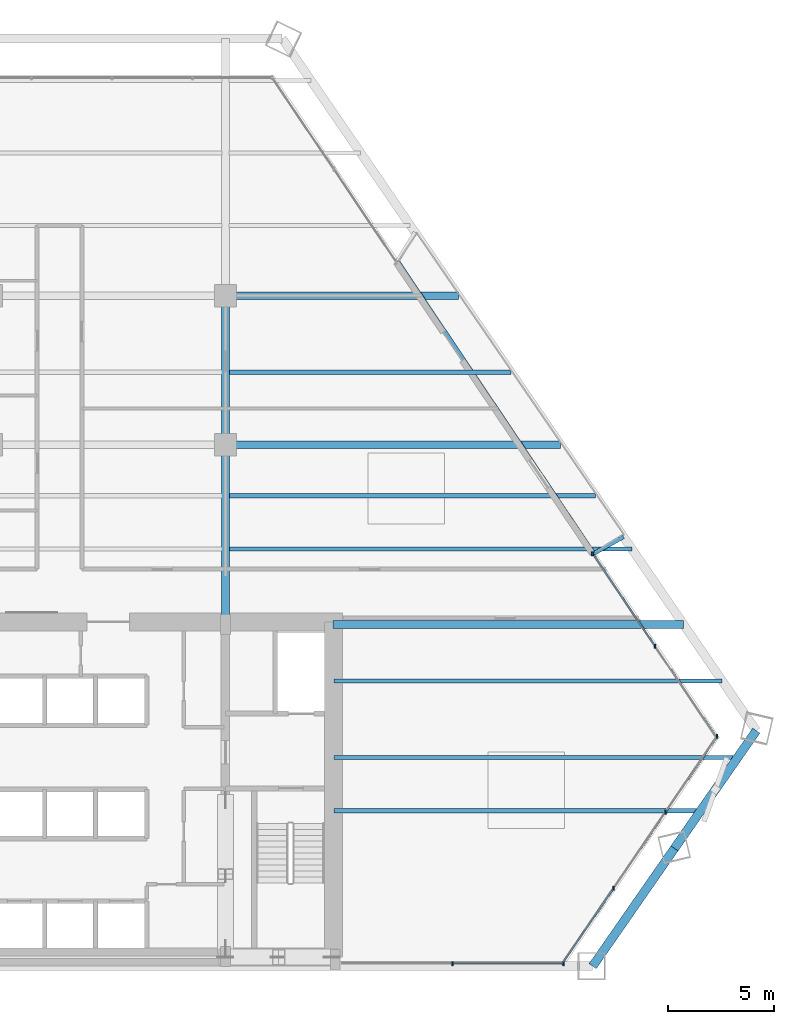
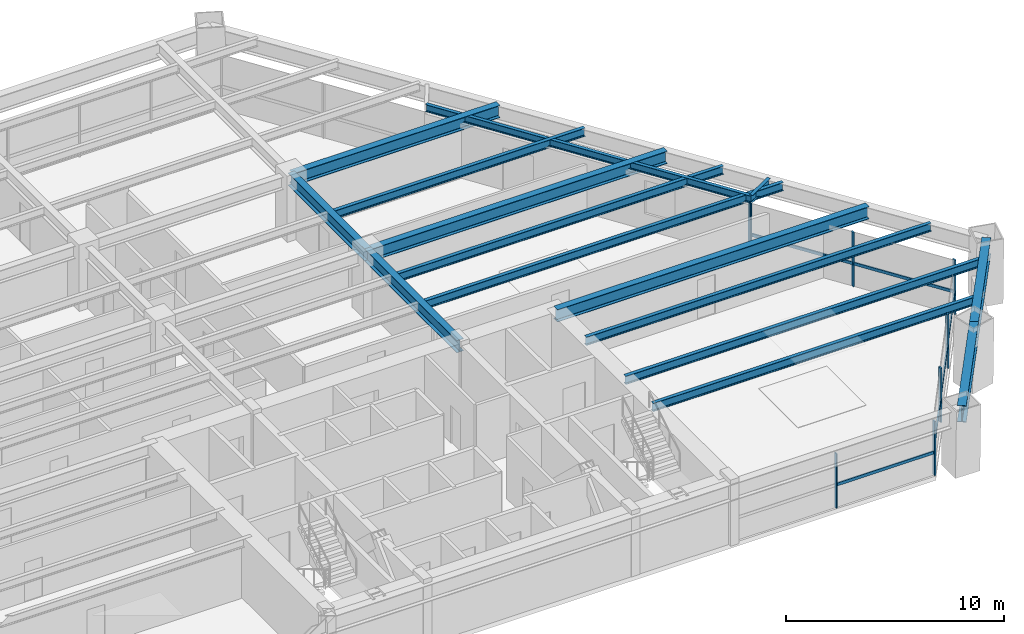
# One storey, part 6 of 14: 15 beams, 14 members, 3 elements without a shape of their own.
"""IFC4 building model written with IfcOpenShell, lengths in metres."""

import ifcopenshell
import ifcopenshell.guid

model = None  # the IFC model being written
_history = None  # IfcOwnerHistory: only IFC2X3 demands one
_inside = {}  # id of a spatial element -> (the spatial element, [elements in it])
_under = {}  # id of a project, library or spatial element -> (it, [spatial elements below it])
_declared = {}  # id of a project -> (the project, [libraries it declares])
_typed = {}  # id of a type object -> (the type object, [elements of that type])
_made_of = {}  # id of a material, layer set ... -> (it, [elements and type objects made of it])


def new_model(schema):
    """Start an empty IFC model of exactly this schema.

    Asked for "IFC4X3", IfcOpenShell would pick the latest addendum, in which some entities
    have other attributes; the version numbers below select the first issue.
    IFC2X3 requires an IfcOwnerHistory on every rooted entity: one is made here for all.
    """
    global model, _history
    if schema == "IFC4X3":
        model = ifcopenshell.file(schema_version=(4, 3, 0, 0))
    else:
        model = ifcopenshell.file(schema=schema)
    _inside.clear()
    _under.clear()
    _declared.clear()
    _typed.clear()
    _made_of.clear()
    _history = None
    if model.schema == "IFC2X3":
        org = make("IfcOrganization", Name="unknown")
        user = make(
            "IfcPersonAndOrganization",
            ThePerson=make("IfcPerson", FamilyName="unknown"),
            TheOrganization=org,
        )
        app = make(
            "IfcApplication",
            ApplicationDeveloper=org,
            Version="unknown",
            ApplicationFullName="unknown",
            ApplicationIdentifier="unknown",
        )
        _history = make(
            "IfcOwnerHistory",
            OwningUser=user,
            OwningApplication=app,
            ChangeAction="ADDED",
            CreationDate=0,
        )
    return model


def make(cls, **values):
    """One entity of the class cls with the attributes given. An attribute that is None is left unset."""
    return model.create_entity(
        cls, **{name: value for name, value in values.items() if value is not None}
    )


def rooted(cls, **values):
    """An entity with a GlobalId (a new one), such as an element, a storey or a relation."""
    return make(cls, GlobalId=ifcopenshell.guid.new(), OwnerHistory=_history, **values)


def si_unit(unit_type, name, prefix=None):
    """IfcSIUnit, for example si_unit("LENGTHUNIT", "METRE", prefix="MILLI")."""
    return make("IfcSIUnit", UnitType=unit_type, Prefix=prefix, Name=name)


def assignment(units):
    """IfcUnitAssignment: the units of a project."""
    return None if units is None else make("IfcUnitAssignment", Units=units)


def point(xyz):
    """IfcCartesianPoint."""
    return None if xyz is None else make("IfcCartesianPoint", Coordinates=xyz)


def direction(xyz):
    """IfcDirection."""
    return None if xyz is None else make("IfcDirection", DirectionRatios=xyz)


def frame(location, z_axis=None, x_axis=None):
    """IfcAxis2Placement3D, a coordinate frame: its origin and axes. An axis left out is left unset."""
    return make(
        "IfcAxis2Placement3D",
        Location=point(location),
        Axis=direction(z_axis),
        RefDirection=direction(x_axis),
    )


def frame_2d(location, x_axis=None):
    """IfcAxis2Placement2D, a coordinate frame in the plane: its origin and x axis."""
    return make(
        "IfcAxis2Placement2D", Location=point(location), RefDirection=direction(x_axis)
    )


def origin():
    """The frame at (0, 0, 0) with its axes left unset."""
    return frame((0.0, 0.0, 0.0))


def origin_2d():
    """The frame at (0, 0) in the plane with its x axis left unset."""
    return frame_2d((0.0, 0.0))


def place(relative_to, where):
    """IfcLocalPlacement: puts the frame where relative to a parent placement (None: the world)."""
    return make(
        "IfcLocalPlacement", PlacementRelTo=relative_to, RelativePlacement=where
    )


def context(
    kind, dimensions, precision=None, world=None, true_north=None, identifier=None
):
    """IfcGeometricRepresentationContext, for example the 3D "Model" context."""
    return make(
        "IfcGeometricRepresentationContext",
        ContextIdentifier=identifier,
        ContextType=kind,
        CoordinateSpaceDimension=dimensions,
        Precision=precision,
        WorldCoordinateSystem=world,
        TrueNorth=true_north,
    )


def subcontext(parent, identifier, kind, view, scale=None):
    """IfcGeometricRepresentationSubContext, for example "Body" below "Model"."""
    return make(
        "IfcGeometricRepresentationSubContext",
        ContextIdentifier=identifier,
        ContextType=kind,
        ParentContext=parent,
        TargetScale=scale,
        TargetView=view,
    )


def project(units=None, contexts=None):
    """IfcProject with its units and contexts."""
    return rooted(
        "IfcProject",
        Name="project",
        RepresentationContexts=contexts,
        UnitsInContext=assignment(units),
    )


def spatial(cls, under=None, at=None, **own):
    """A site, building, storey or space (cls), placed at a placement, below another one or the project."""
    s = rooted(cls, ObjectPlacement=at, **own)
    if under is not None:
        _under.setdefault(under.id(), (under, []))[1].append(s)
    return s


def profile(cls, at=None, kind="AREA", **sizes):
    """A parametric profile (cls). Its sizes go by their IFC names, for example OverallWidth=200.0."""
    return make(cls, ProfileType=kind, Position=at, **sizes)


def rectangle(**sizes):
    """IfcRectangleProfileDef."""
    return profile("IfcRectangleProfileDef", **sizes)


def i_section(**sizes):
    """IfcIShapeProfileDef."""
    return profile("IfcIShapeProfileDef", **sizes)


def extrude(swept, where, along, depth):
    """IfcExtrudedAreaSolid: the profile swept, set in the frame where, extruded along a direction by depth."""
    return make(
        "IfcExtrudedAreaSolid",
        SweptArea=swept,
        Position=where,
        ExtrudedDirection=direction(along),
        Depth=depth,
    )


def shape(context_of_items, identifier, shape_type, items):
    """IfcShapeRepresentation: the items that make up one representation, for example the "Body"."""
    return make(
        "IfcShapeRepresentation",
        ContextOfItems=context_of_items,
        RepresentationIdentifier=identifier,
        RepresentationType=shape_type,
        Items=items,
    )


def source(mapping_origin, context_of_items, identifier, shape_type, items):
    """IfcRepresentationMap: a shape defined once, which mapped items show again and again."""
    return make(
        "IfcRepresentationMap",
        MappingOrigin=mapping_origin,
        MappedRepresentation=shape(context_of_items, identifier, shape_type, items),
    )


def transform(
    local_origin,
    x_axis=None,
    y_axis=None,
    z_axis=None,
    scale=None,
    scale2=None,
    scale3=None,
    uniform=True,
):
    """IfcCartesianTransformationOperator3D, or its non-uniform kind. x_axis, y_axis, z_axis: its Axis1, 2, 3."""
    if uniform:
        return make(
            "IfcCartesianTransformationOperator3D",
            Axis1=direction(x_axis),
            Axis2=direction(y_axis),
            LocalOrigin=point(local_origin),
            Scale=scale,
            Axis3=direction(z_axis),
        )
    return make(
        "IfcCartesianTransformationOperator3DnonUniform",
        Axis1=direction(x_axis),
        Axis2=direction(y_axis),
        LocalOrigin=point(local_origin),
        Scale=scale,
        Axis3=direction(z_axis),
        Scale2=scale2,
        Scale3=scale3,
    )


def mapped(mapping_source, mapping_target):
    """IfcMappedItem: shows the shape of a source again, moved by a transform."""
    return make(
        "IfcMappedItem", MappingSource=mapping_source, MappingTarget=mapping_target
    )


def material(Name=None, Category=None):
    """IfcMaterial."""
    return make("IfcMaterial", Name=Name, Category=Category)


def material_profile(
    of_material, cross_section, Name=None, Category=None, Priority=None
):
    """IfcMaterialProfile: a cross section and its material."""
    return make(
        "IfcMaterialProfile",
        Name=Name,
        Material=of_material,
        Profile=cross_section,
        Priority=Priority,
        Category=Category,
    )


def profile_set(profiles, Name=None, composite=None):
    """IfcMaterialProfileSet."""
    return make(
        "IfcMaterialProfileSet",
        Name=Name,
        MaterialProfiles=profiles,
        CompositeProfile=composite,
    )


def made_of(thing, what):
    """Note that an element or type object is made of a material, layer set ...; save() writes the relation."""
    if what is not None:
        _made_of.setdefault(what.id(), (what, []))[1].append(thing)
    return thing


def type_object(cls, material=None, **own):
    """A type object (cls), such as IfcWallType, which elements share."""
    return made_of(rooted(cls, **own), material)


def type_shapes(of_type, sources):
    """Give a type object the sources (RepresentationMaps) that its elements show as mapped items."""
    of_type.RepresentationMaps = sources


def element(
    cls,
    number,
    at=None,
    inside=None,
    cuts=None,
    type_object=None,
    material=None,
    context=None,
    identifier="Body",
    shape_type=None,
    held_by="IfcProductDefinitionShape",
    body=None,
    shapes=None,
    **own,
):
    """One element of the class cls, such as IfcWall. Its Tag is "e" and its number.

    at: its placement. inside: the storey or other place that contains it. cuts: it is an
    opening in that element (IfcRelVoidsElement). A single representation is given by context,
    identifier, shape_type and body (its items); several are given by shapes. held_by: the class
    of the entity that holds the representations. save() writes the other relations.
    """
    e = rooted(cls, Tag="e%d" % number, ObjectPlacement=at, **own)
    if body is not None:
        shapes = [shape(context, identifier, shape_type, body)]
    if shapes is not None:
        e.Representation = make(held_by, Representations=shapes)
    if inside is not None:
        _inside.setdefault(inside.id(), (inside, []))[1].append(e)
    if cuts is not None:
        rooted(
            "IfcRelVoidsElement", RelatingBuildingElement=cuts, RelatedOpeningElement=e
        )
    if type_object is not None:
        _typed.setdefault(type_object.id(), (type_object, []))[1].append(e)
    return made_of(e, material)


def aggregate(whole, parts):
    """IfcRelAggregates: a whole, such as a stair, and the parts it consists of."""
    return rooted("IfcRelAggregates", RelatingObject=whole, RelatedObjects=parts)


def save(model, path):
    """Write the relations noted so far, then the file.

    IfcRelAggregates (storeys below a building ...), IfcRelContainedInSpatialStructure (elements
    in a storey), IfcRelDefinesByType, IfcRelAssociatesMaterial and IfcRelDeclares: one each for
    every whole, place, type object, material and project.
    """
    for whole, parts in _under.values():
        aggregate(whole, parts)
    for where, things in _inside.values():
        rooted(
            "IfcRelContainedInSpatialStructure",
            RelatedElements=things,
            RelatingStructure=where,
        )
    for kind, things in _typed.values():
        rooted("IfcRelDefinesByType", RelatedObjects=things, RelatingType=kind)
    for what, things in _made_of.values():
        rooted("IfcRelAssociatesMaterial", RelatedObjects=things, RelatingMaterial=what)
    for by, libraries in _declared.values():
        rooted("IfcRelDeclares", RelatingContext=by, RelatedDefinitions=libraries)
    model.write(path)


model = new_model("IFC4")

# Units and contexts
model_context = context("Model", 3, precision=1e-05, world=origin(), true_north=direction((0.0, 1.0)))
body_context = subcontext(model_context, "Body", "Model", "MODEL_VIEW")
ifc_project = project(units=[si_unit("LENGTHUNIT", "METRE"), si_unit("AREAUNIT", "SQUARE_METRE"), si_unit("VOLUMEUNIT", "CUBIC_METRE"), si_unit("PLANEANGLEUNIT", "RADIAN"), si_unit("MASSUNIT", "GRAM", prefix="KILO")], contexts=[model_context])

# Site, building, storey
site_placement = place(None, origin())
site = spatial("IfcSite", under=ifc_project, at=site_placement, CompositionType="ELEMENT")
building_placement = place(site_placement, origin())
building = spatial("IfcBuilding", under=site, at=building_placement, Name="Varnakhor Terracotta Tower", CompositionType="ELEMENT")
storey_placement = place(building_placement, frame((0.0, 0.0, 42.300048828125)))
storey = spatial("IfcBuildingStorey", under=building, at=storey_placement, Name="L09", CompositionType="ELEMENT", Elevation=42.300048828125)

# Beams
ifc_material_1 = material(Name="Steel S355", Category="steel")
ifc_material_profile_1 = material_profile(ifc_material_1, i_section(OverallWidth=0.35498046875, OverallDepth=0.695068359375, WebThickness=0.014892578125, FlangeThickness=0.02490234375, FilletRadius=0.01806640625, at=origin_2d()), Name="W27X146")
ifc_profile_set_1 = profile_set([ifc_material_profile_1], Name="Steel S355")
beam_type_1 = type_object("IfcBeamType", Name="BM-W27X146", PredefinedType="BEAM", material=ifc_profile_set_1)
shared_shape_1 = source(origin(), body_context, "Body", "SweptSolid", [
    extrude(i_section(OverallWidth=0.35498046875, OverallDepth=0.695068359375, WebThickness=0.014892578125, FlangeThickness=0.02490234375, FilletRadius=0.01806640625, at=origin_2d()), origin(), (0.0, 0.0, 1.0), 8.449951171875),
])
type_shapes(beam_type_1, [shared_shape_1])
beam_1_placement = place(storey_placement, frame((5.5, 16.050048828125, 3.1025390625), z_axis=(0.0, 1.0, 0.0), x_axis=(-1.0, 0.0, 0.0)))
element("IfcBeam", 1, at=beam_1_placement, inside=storey, type_object=beam_type_1, Name="L09 Primary Girder NS1-E", PredefinedType="BEAM", context=body_context, shape_type="MappedRepresentation", body=[
    mapped(shared_shape_1, transform((0.0, 0.0, 0.0), scale=1.0)),
])
shared_shape_2 = source(origin(), body_context, "Body", "SweptSolid", [
    extrude(i_section(OverallWidth=0.35498046875, OverallDepth=0.695068359375, WebThickness=0.014892578125, FlangeThickness=0.02490234375, FilletRadius=0.01806640625, at=origin_2d()), origin(), (0.0, 0.0, 1.0), 7.0),
])
beam_2_placement = place(storey_placement, frame((5.5, 24.5, 3.1025390625), z_axis=(0.0, 1.0, 0.0), x_axis=(-1.0, 0.0, 0.0)))
element("IfcBeam", 2, at=beam_2_placement, inside=storey, type_object=beam_type_1, Name="L09 Primary Girder NS2-E", PredefinedType="BEAM", context=body_context, shape_type="MappedRepresentation", body=[
    mapped(shared_shape_2, transform((0.0, 0.0, 0.0), scale=1.0)),
])
ifc_material_profile_2 = material_profile(ifc_material_1, i_section(OverallWidth=0.41796875, OverallDepth=0.927001953125, WebThickness=0.01904296875, FlangeThickness=0.031982421875, FilletRadius=0.01806640625, at=origin_2d()), Name="W36X231")
ifc_profile_set_2 = profile_set([ifc_material_profile_2], Name="Steel S355")
beam_type_2 = type_object("IfcBeamType", Name="BM-W36X231", PredefinedType="BEAM", material=ifc_profile_set_2)
shared_shape_3 = source(origin(), body_context, "Body", "SweptSolid", [
    extrude(i_section(OverallWidth=0.41796875, OverallDepth=0.927001953125, WebThickness=0.01904296875, FlangeThickness=0.031982421875, FilletRadius=0.01806640625, at=origin_2d()), origin(), (0.0, 0.0, 1.0), 6.736083984375),
])
for number, where, z_axis, x_axis, name in (
    (3, (22.750732421875, 0.0, 2.986572265625), (0.570539792288, 0.821269958915, 0.0), (-0.821269958915, 0.570539792288, 0.0), "L09 Perimeter Spandrel 2"),
    (4, (26.593994140625, 5.5322265625, 2.986572265625), (0.570539792288, 0.821269958915, 0.0), (-0.821269958915, 0.570539792288, 0.0), "L09 Perimeter Spandrel 3"),
):
    element("IfcBeam", number, at=place(storey_placement, frame(where, z_axis=z_axis, x_axis=x_axis)), inside=storey, type_object=beam_type_2, Name=name, PredefinedType="BEAM", context=body_context, shape_type="MappedRepresentation", body=[
        mapped(shared_shape_3, transform((0.0, 0.0, 0.0), scale=1.0)),
    ])
ifc_material_profile_3 = material_profile(ifc_material_1, i_section(OverallWidth=0.179931640625, OverallDepth=0.39990234375, WebThickness=0.008544921875, FlangeThickness=0.013427734375, FilletRadius=0.01806640625, at=origin_2d()), Name="IPE400")
ifc_profile_set_3 = profile_set([ifc_material_profile_3], Name="Steel S355")
beam_type_3 = type_object("IfcBeamType", Name="JST-IPE400", PredefinedType="JOIST", material=ifc_profile_set_3)
shared_shape_4 = source(origin(), body_context, "Body", "SweptSolid", [
    extrude(i_section(OverallWidth=0.179931640625, OverallDepth=0.39990234375, WebThickness=0.008544921875, FlangeThickness=0.013427734375, FilletRadius=0.01806640625, at=origin_2d()), origin(), (0.0, 0.0, 1.0), 16.559326171875),
])
beam_3_placement = place(storey_placement, frame((22.805908203125, 19.38232421875, 3.25), z_axis=(-0.557313833553, 0.830301927573, 0.0), x_axis=(-0.830301927573, -0.557313833553, 0.0)))
element("IfcBeam", 5, at=beam_3_placement, inside=storey, type_object=beam_type_3, Name="L09 Loggia Edge Beam 1", PredefinedType="JOIST", context=body_context, shape_type="MappedRepresentation", body=[
    mapped(shared_shape_4, transform((0.0, 0.0, 0.0), scale=1.0)),
])
shared_shape_5 = source(origin(), body_context, "Body", "SweptSolid", [
    extrude(i_section(OverallWidth=0.35498046875, OverallDepth=0.695068359375, WebThickness=0.014892578125, FlangeThickness=0.02490234375, FilletRadius=0.01806640625, at=origin_2d()), origin(), (0.0, 0.0, 1.0), 16.47216796875),
])
beam_4_placement = place(storey_placement, frame((10.550048828125, 16.050048828125, 3.1025390625), z_axis=(1.0, 0.0, 0.0), x_axis=(0.0, 1.0, 0.0)))
element("IfcBeam", 6, at=beam_4_placement, inside=storey, type_object=beam_type_1, Name="L09 Wing Girder E", PredefinedType="BEAM", context=body_context, shape_type="MappedRepresentation", body=[
    mapped(shared_shape_5, transform((0.0, 0.0, 0.0), scale=1.0)),
])
shared_shape_6 = source(origin(), body_context, "Body", "SweptSolid", [
    extrude(i_section(OverallWidth=0.35498046875, OverallDepth=0.695068359375, WebThickness=0.014892578125, FlangeThickness=0.02490234375, FilletRadius=0.01806640625, at=origin_2d()), origin(), (0.0, 0.0, 1.0), 15.734375),
])
beam_5_placement = place(storey_placement, frame((5.5, 24.5, 3.1025390625), z_axis=(1.0, 0.0, 0.0), x_axis=(0.0, 1.0, 0.0)))
element("IfcBeam", 7, at=beam_5_placement, inside=storey, type_object=beam_type_1, Name="L09 Primary Girder EW2-3", PredefinedType="BEAM", context=body_context, shape_type="MappedRepresentation", body=[
    mapped(shared_shape_6, transform((0.0, 0.0, 0.0), scale=1.0)),
])
shared_shape_7 = source(origin(), body_context, "Body", "SweptSolid", [
    extrude(i_section(OverallWidth=0.35498046875, OverallDepth=0.695068359375, WebThickness=0.014892578125, FlangeThickness=0.02490234375, FilletRadius=0.01806640625, at=origin_2d()), origin(), (0.0, 0.0, 1.0), 10.939697265625),
])
beam_6_placement = place(storey_placement, frame((5.5, 31.5, 3.1025390625), z_axis=(1.0, 0.0, 0.0), x_axis=(0.0, 1.0, 0.0)))
element("IfcBeam", 8, at=beam_6_placement, inside=storey, type_object=beam_type_1, Name="L09 Primary Girder EW3-3", PredefinedType="BEAM", context=body_context, shape_type="MappedRepresentation", body=[
    mapped(shared_shape_7, transform((0.0, 0.0, 0.0), scale=1.0)),
])
ifc_material_profile_4 = material_profile(ifc_material_1, i_section(OverallWidth=0.19189453125, OverallDepth=0.462890625, WebThickness=0.010498046875, FlangeThickness=0.017578125, FilletRadius=0.01806640625, at=origin_2d()), Name="W18X60")
ifc_profile_set_4 = profile_set([ifc_material_profile_4], Name="Steel S355")
beam_type_4 = type_object("IfcBeamType", Name="JST-W18X60", PredefinedType="JOIST", material=ifc_profile_set_4)
shared_shape_8 = source(origin(), body_context, "Body", "SweptSolid", [
    extrude(i_section(OverallWidth=0.19189453125, OverallDepth=0.462890625, WebThickness=0.010498046875, FlangeThickness=0.017578125, FilletRadius=0.01806640625, at=origin_2d()), origin(), (0.0, 0.0, 1.0), 17.221923828125),
])
beam_7_placement = place(storey_placement, frame((10.60009765625, 7.300048828125, 3.218505859375), z_axis=(1.0, 0.0, 0.0), x_axis=(0.0, 1.0, 0.0)))
element("IfcBeam", 9, at=beam_7_placement, inside=storey, type_object=beam_type_4, Name="L09 Floor Joist E1", PredefinedType="JOIST", context=body_context, shape_type="MappedRepresentation", body=[
    mapped(shared_shape_8, transform((0.0, 0.0, 0.0), scale=1.0)),
])
shared_shape_9 = source(origin(), body_context, "Body", "SweptSolid", [
    extrude(i_section(OverallWidth=0.19189453125, OverallDepth=0.462890625, WebThickness=0.010498046875, FlangeThickness=0.017578125, FilletRadius=0.01806640625, at=origin_2d()), origin(), (0.0, 0.0, 1.0), 18.958740234375),
])
beam_8_placement = place(storey_placement, frame((10.60009765625, 9.800048828125, 3.218505859375), z_axis=(1.0, 0.0, 0.0), x_axis=(0.0, 1.0, 0.0)))
element("IfcBeam", 10, at=beam_8_placement, inside=storey, type_object=beam_type_4, Name="L09 Floor Joist E2", PredefinedType="JOIST", context=body_context, shape_type="MappedRepresentation", body=[
    mapped(shared_shape_9, transform((0.0, 0.0, 0.0), scale=1.0)),
])
shared_shape_10 = source(origin(), body_context, "Body", "SweptSolid", [
    extrude(i_section(OverallWidth=0.19189453125, OverallDepth=0.462890625, WebThickness=0.010498046875, FlangeThickness=0.017578125, FilletRadius=0.01806640625, at=origin_2d()), origin(), (0.0, 0.0, 1.0), 18.2373046875),
])
beam_9_placement = place(storey_placement, frame((10.60009765625, 13.39990234375, 3.218505859375), z_axis=(1.0, 0.0, 0.0), x_axis=(0.0, 1.0, 0.0)))
element("IfcBeam", 11, at=beam_9_placement, inside=storey, type_object=beam_type_4, Name="L09 Floor Joist E3", PredefinedType="JOIST", context=body_context, shape_type="MappedRepresentation", body=[
    mapped(shared_shape_10, transform((0.0, 0.0, 0.0), scale=1.0)),
])
shared_shape_11 = source(origin(), body_context, "Body", "SweptSolid", [
    extrude(i_section(OverallWidth=0.19189453125, OverallDepth=0.462890625, WebThickness=0.010498046875, FlangeThickness=0.017578125, FilletRadius=0.01806640625, at=origin_2d()), origin(), (0.0, 0.0, 1.0), 18.917236328125),
])
beam_10_placement = place(storey_placement, frame((5.673583984375, 19.60009765625, 3.218505859375), z_axis=(1.0, 0.0, 0.0), x_axis=(0.0, 1.0, 0.0)))
element("IfcBeam", 12, at=beam_10_placement, inside=storey, type_object=beam_type_4, Name="L09 Composite Floor Joist 4-3", PredefinedType="JOIST", context=body_context, shape_type="MappedRepresentation", body=[
    mapped(shared_shape_11, transform((0.0, 0.0, 0.0), scale=1.0)),
])
shared_shape_12 = source(origin(), body_context, "Body", "SweptSolid", [
    extrude(i_section(OverallWidth=0.19189453125, OverallDepth=0.462890625, WebThickness=0.010498046875, FlangeThickness=0.017578125, FilletRadius=0.01806640625, at=origin_2d()), origin(), (0.0, 0.0, 1.0), 17.204833984375),
])
beam_11_placement = place(storey_placement, frame((5.673583984375, 22.10009765625, 3.218505859375), z_axis=(1.0, 0.0, 0.0), x_axis=(0.0, 1.0, 0.0)))
element("IfcBeam", 13, at=beam_11_placement, inside=storey, type_object=beam_type_4, Name="L09 Composite Floor Joist 5-3", PredefinedType="JOIST", context=body_context, shape_type="MappedRepresentation", body=[
    mapped(shared_shape_12, transform((0.0, 0.0, 0.0), scale=1.0)),
])
shared_shape_13 = source(origin(), body_context, "Body", "SweptSolid", [
    extrude(i_section(OverallWidth=0.19189453125, OverallDepth=0.462890625, WebThickness=0.010498046875, FlangeThickness=0.017578125, FilletRadius=0.01806640625, at=origin_2d()), origin(), (0.0, 0.0, 1.0), 13.23193359375),
])
beam_12_placement = place(storey_placement, frame((5.673583984375, 27.89990234375, 3.218505859375), z_axis=(1.0, 0.0, 0.0), x_axis=(0.0, 1.0, 0.0)))
element("IfcBeam", 14, at=beam_12_placement, inside=storey, type_object=beam_type_4, Name="L09 Composite Floor Joist 6-3", PredefinedType="JOIST", context=body_context, shape_type="MappedRepresentation", body=[
    mapped(shared_shape_13, transform((0.0, 0.0, 0.0), scale=1.0)),
])

# Curtain wall, members
ifc_material_2 = material(Name="Anodised Aluminium Curtain Wall System", Category="aluminium")
curtain_wall_type = type_object("IfcCurtainWallType", Name="CW-SYS-LOW-OFFICE", PredefinedType="NOTDEFINED", material=ifc_material_2)
curtain_wall_1_placement = place(storey_placement, origin())
curtain_wall_1 = element("IfcCurtainWall", 15, at=curtain_wall_1_placement, inside=storey, type_object=curtain_wall_type, Name="L09 E Facet Curtain Wall 2", PredefinedType="NOTDEFINED")
ifc_material_3 = material(Name="Anodised Aluminium 6063-T6", Category="aluminium")
ifc_material_profile_5 = material_profile(ifc_material_3, rectangle(XDim=0.074951171875, YDim=0.18505859375, at=origin_2d()), Name="ALU MULLION 75x185")
ifc_profile_set_5 = profile_set([ifc_material_profile_5], Name="Anodised Aluminium 6063-T6")
member_type_1 = type_object("IfcMemberType", Name="CWM-02", PredefinedType="MULLION", material=ifc_profile_set_5)
shared_shape_14 = source(origin(), body_context, "Body", "SweptSolid", [
    extrude(rectangle(XDim=0.074951171875, YDim=0.18505859375, at=origin_2d()), origin(), (0.0, 0.0, 1.0), 3.030029296875),
])
type_shapes(member_type_1, [shared_shape_14])
member_1_placement = place(storey_placement, frame((22.765380859375, 19.368408203125, 0.0), z_axis=(0.0, 0.0, 1.0), x_axis=(1.0, 0.0, 0.0)))
member_1 = element("IfcMember", 16, at=member_1_placement, type_object=member_type_1, Name="L09 E Facet Curtain Wall 2 Mullion 1", PredefinedType="MULLION", context=body_context, shape_type="MappedRepresentation", body=[
    mapped(shared_shape_14, transform((0.0, 0.0, 0.0), scale=1.0)),
])
member_2_placement = place(storey_placement, frame((25.680419921875, 15.039306640625, 0.0), z_axis=(0.0, 0.0, 1.0), x_axis=(1.0, 0.0, 0.0)))
member_2 = element("IfcMember", 17, at=member_2_placement, type_object=member_type_1, Name="L09 E Facet Curtain Wall 2 Mullion 2", PredefinedType="MULLION", context=body_context, shape_type="MappedRepresentation", body=[
    mapped(shared_shape_14, transform((0.0, 0.0, 0.0), scale=1.0)),
])
member_3_placement = place(storey_placement, frame((22.73193359375, 19.382080078125, 0.0), z_axis=(0.0, 0.0, 1.0), x_axis=(1.0, 0.0, 0.0)))
member_3 = element("IfcMember", 18, at=member_3_placement, type_object=member_type_1, Name="L09 E Loggia Jamb Closure Mullion 2", PredefinedType="MULLION", context=body_context, shape_type="MappedRepresentation", body=[
    mapped(shared_shape_14, transform((0.0, 0.0, 0.0), scale=1.0)),
])

curtain_wall_2_placement = place(storey_placement, origin())
curtain_wall_2 = element("IfcCurtainWall", 19, at=curtain_wall_2_placement, inside=storey, type_object=curtain_wall_type, Name="L09 Facet Curtain Wall 4", PredefinedType="NOTDEFINED")
member_4_placement = place(storey_placement, frame((28.595947265625, 10.795166015625, 0.0), z_axis=(0.0, 0.0, 1.0), x_axis=(1.0, 0.0, 0.0)))
member_4 = element("IfcMember", 20, at=member_4_placement, type_object=member_type_1, Name="L09 Facet Curtain Wall 4 Mullion 1", PredefinedType="MULLION", context=body_context, shape_type="MappedRepresentation", body=[
    mapped(shared_shape_14, transform((0.0, 0.0, 0.0), scale=1.0)),
])
member_5_placement = place(storey_placement, frame((26.164306640625, 7.2275390625, 0.0), z_axis=(0.0, 0.0, 1.0), x_axis=(1.0, 0.0, 0.0)))
member_5 = element("IfcMember", 21, at=member_5_placement, type_object=member_type_1, Name="L09 Facet Curtain Wall 4 Mullion 2", PredefinedType="MULLION", context=body_context, shape_type="MappedRepresentation", body=[
    mapped(shared_shape_14, transform((0.0, 0.0, 0.0), scale=1.0)),
])
member_6_placement = place(storey_placement, frame((23.732666015625, 3.659912109375, 0.0), z_axis=(0.0, 0.0, 1.0), x_axis=(1.0, 0.0, 0.0)))
member_6 = element("IfcMember", 22, at=member_6_placement, type_object=member_type_1, Name="L09 Facet Curtain Wall 4 Mullion 3", PredefinedType="MULLION", context=body_context, shape_type="MappedRepresentation", body=[
    mapped(shared_shape_14, transform((0.0, 0.0, 0.0), scale=1.0)),
])

curtain_wall_3_placement = place(storey_placement, origin())
curtain_wall_3 = element("IfcCurtainWall", 23, at=curtain_wall_3_placement, inside=storey, type_object=curtain_wall_type, Name="L09 South Wing Curtain Wall SSE", PredefinedType="NOTDEFINED")
member_7_placement = place(storey_placement, frame((21.373291015625, 0.1201171875, 0.0), z_axis=(0.0, 0.0, 1.0), x_axis=(1.0, 0.0, 0.0)))
member_7 = element("IfcMember", 24, at=member_7_placement, type_object=member_type_1, Name="L09 South Wing Curtain Wall SSE Mullion 1", PredefinedType="MULLION", context=body_context, shape_type="MappedRepresentation", body=[
    mapped(shared_shape_14, transform((0.0, 0.0, 0.0), scale=1.0)),
])
member_8_placement = place(storey_placement, frame((16.171630859375, 0.1201171875, 0.0), z_axis=(0.0, 0.0, 1.0), x_axis=(1.0, 0.0, 0.0)))
member_8 = element("IfcMember", 25, at=member_8_placement, type_object=member_type_1, Name="L09 South Wing Curtain Wall SSE Mullion 2", PredefinedType="MULLION", context=body_context, shape_type="MappedRepresentation", body=[
    mapped(shared_shape_14, transform((0.0, 0.0, 0.0), scale=1.0)),
])

# Member
ifc_material_profile_6 = material_profile(ifc_material_3, rectangle(XDim=0.074951171875, YDim=0.1650390625, at=origin_2d()), Name="ALU TRANSOM 75x165")
ifc_profile_set_6 = profile_set([ifc_material_profile_6], Name="Anodised Aluminium 6063-T6")
member_type_2 = type_object("IfcMemberType", Name="CWT-02", PredefinedType="USERDEFINED", material=ifc_profile_set_6)
shared_shape_15 = source(origin(), body_context, "Body", "SweptSolid", [
    extrude(rectangle(XDim=0.074951171875, YDim=0.1650390625, at=origin_2d()), origin(), (0.0, 0.0, 1.0), 5.218994140625),
])
member_9_placement = place(storey_placement, frame((22.765380859375, 19.368408203125, 1.2724609375), z_axis=(0.558537327187, -0.82947938741, 0.0), x_axis=(0.82947938741, 0.558537327187, 0.0)))
member_9 = element("IfcMember", 26, at=member_9_placement, type_object=member_type_2, Name="L09 E Facet Curtain Wall 2 Transom 1", ObjectType="TRANSOM", PredefinedType="USERDEFINED", context=body_context, shape_type="MappedRepresentation", body=[
    mapped(shared_shape_15, transform((0.0, 0.0, 0.0), scale=1.0)),
])

shared_shape_16 = source(origin(), body_context, "Body", "SweptSolid", [
    extrude(rectangle(XDim=0.074951171875, YDim=0.1650390625, at=origin_2d()), origin(), (0.0, 0.0, 1.0), 5.21923828125),
])
member_10_placement = place(storey_placement, frame((25.680419921875, 15.039306640625, 1.2724609375), z_axis=(0.558569511338, -0.829457715019, 0.0), x_axis=(0.829457715019, 0.558569511338, 0.0)))
member_10 = element("IfcMember", 27, at=member_10_placement, type_object=member_type_2, Name="L09 E Facet Curtain Wall 2 Transom 2", ObjectType="TRANSOM", PredefinedType="USERDEFINED", context=body_context, shape_type="MappedRepresentation", body=[
    mapped(shared_shape_16, transform((0.0, 0.0, 0.0), scale=1.0)),
])

aggregate(curtain_wall_1, [member_1, member_9, member_2, member_10, member_3])

shared_shape_17 = source(origin(), body_context, "Body", "SweptSolid", [
    extrude(rectangle(XDim=0.074951171875, YDim=0.1650390625, at=origin_2d()), origin(), (0.0, 0.0, 1.0), 4.3173828125),
])
member_11_placement = place(storey_placement, frame((28.595947265625, 10.795166015625, 1.2724609375), z_axis=(-0.563205220783, -0.826317057359, 0.0), x_axis=(0.826317057359, -0.563205220783, 0.0)))
member_11 = element("IfcMember", 28, at=member_11_placement, type_object=member_type_2, Name="L09 Facet Curtain Wall 4 Transom 1", ObjectType="TRANSOM", PredefinedType="USERDEFINED", context=body_context, shape_type="MappedRepresentation", body=[
    mapped(shared_shape_17, transform((0.0, 0.0, 0.0), scale=1.0)),
])

member_12_placement = place(storey_placement, frame((26.164306640625, 7.2275390625, 1.2724609375), z_axis=(-0.563205220783, -0.826317057359, 0.0), x_axis=(0.826317057359, -0.563205220783, 0.0)))
member_12 = element("IfcMember", 29, at=member_12_placement, type_object=member_type_2, Name="L09 Facet Curtain Wall 4 Transom 2", ObjectType="TRANSOM", PredefinedType="USERDEFINED", context=body_context, shape_type="MappedRepresentation", body=[
    mapped(shared_shape_17, transform((0.0, 0.0, 0.0), scale=1.0)),
])

member_13_placement = place(storey_placement, frame((23.732666015625, 3.659912109375, 1.2724609375), z_axis=(-0.563205220783, -0.826317057359, 0.0), x_axis=(0.826317057359, -0.563205220783, 0.0)))
member_13 = element("IfcMember", 30, at=member_13_placement, type_object=member_type_2, Name="L09 Facet Curtain Wall 4 Transom 3", ObjectType="TRANSOM", PredefinedType="USERDEFINED", context=body_context, shape_type="MappedRepresentation", body=[
    mapped(shared_shape_17, transform((0.0, 0.0, 0.0), scale=1.0)),
])

aggregate(curtain_wall_2, [member_4, member_11, member_5, member_12, member_6, member_13])

shared_shape_18 = source(origin(), body_context, "Body", "SweptSolid", [
    extrude(rectangle(XDim=0.074951171875, YDim=0.1650390625, at=origin_2d()), origin(), (0.0, 0.0, 1.0), 5.20166015625),
])
member_14_placement = place(storey_placement, frame((21.373291015625, 0.1201171875, 1.2724609375), z_axis=(-1.0, 0.0, 0.0), x_axis=(0.0, -1.0, 0.0)))
member_14 = element("IfcMember", 31, at=member_14_placement, type_object=member_type_2, Name="L09 South Wing Curtain Wall SSE Transom 1", ObjectType="TRANSOM", PredefinedType="USERDEFINED", context=body_context, shape_type="MappedRepresentation", body=[
    mapped(shared_shape_18, transform((0.0, 0.0, 0.0), scale=1.0)),
])

aggregate(curtain_wall_3, [member_7, member_14, member_8])

# Beam
shared_shape_19 = source(origin(), body_context, "Body", "SweptSolid", [
    extrude(i_section(OverallWidth=0.179931640625, OverallDepth=0.39990234375, WebThickness=0.008544921875, FlangeThickness=0.013427734375, FilletRadius=0.01806640625, at=origin_2d()), origin(), (0.0, 0.0, 1.0), 1.601318359375),
])
beam_13_placement = place(storey_placement, frame((22.805908203125, 19.38232421875, 3.25), z_axis=(0.870960066404, 0.49135380606, 0.0), x_axis=(-0.49135380606, 0.870960066404, 0.0)))
element("IfcBeam", 32, at=beam_13_placement, inside=storey, type_object=beam_type_3, Name="L10 E Loggia Tie Beam 2", PredefinedType="JOIST", context=body_context, shape_type="MappedRepresentation", body=[
    mapped(shared_shape_19, transform((0.0, 0.0, 0.0), scale=1.0)),
])

save(model, "model.ifc")
